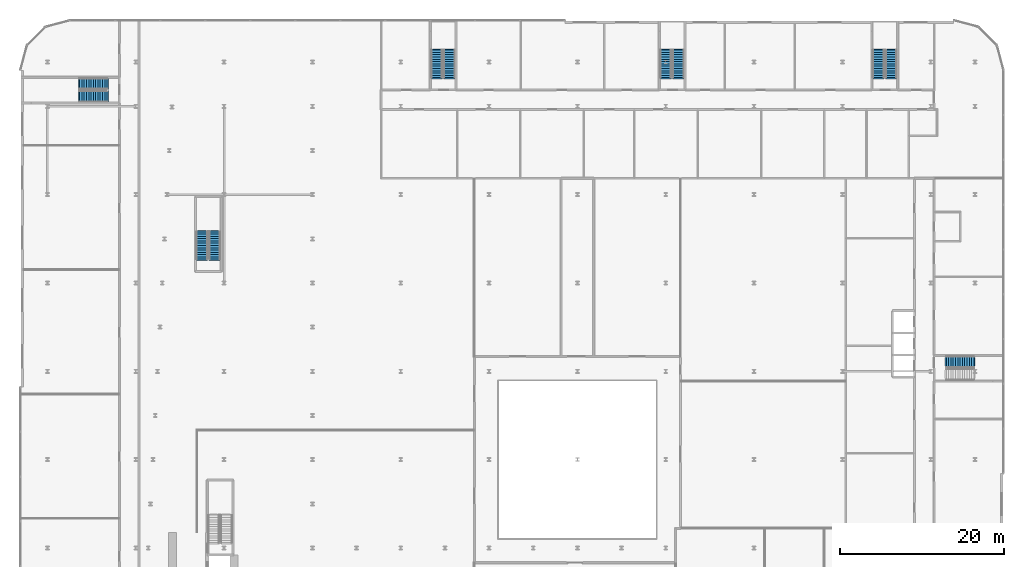
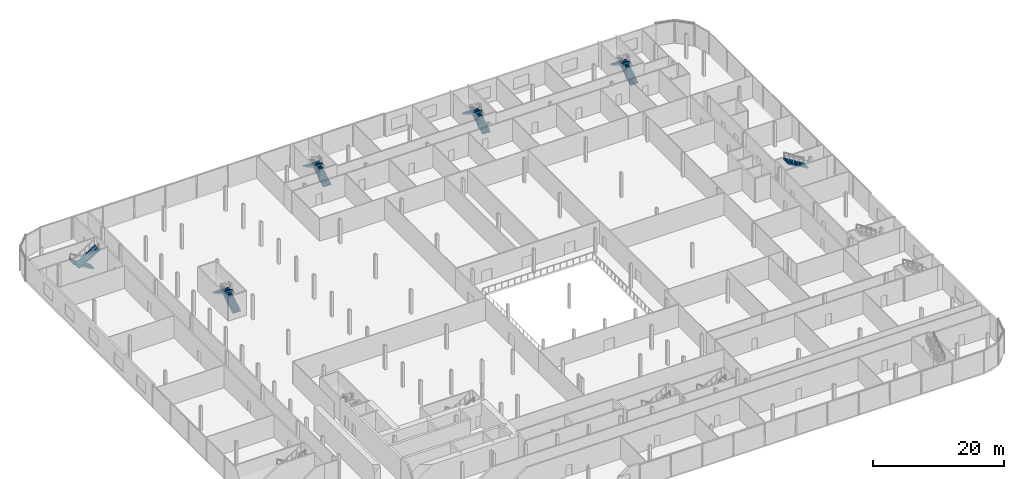
# One storey, part 38 of 47: 11 stair flights, 6 elements without a shape of their own.
"""IFC4 building model written with IfcOpenShell, lengths in metres."""

from ifc_helpers import new_model, si_unit, direction, frame, origin, place, context, subcontext, project, spatial, polyline, outline, extrude, material, layer, layer_set, type_object, element, aggregate, save


model = new_model("IFC4")

# Units and contexts
model_context = context("Model", 3, precision=1e-05, world=origin(), true_north=direction((0.0, 1.0)))
body_context = subcontext(model_context, "Body", "Model", "MODEL_VIEW")
ifc_project = project(units=[si_unit("LENGTHUNIT", "METRE"), si_unit("AREAUNIT", "SQUARE_METRE"), si_unit("VOLUMEUNIT", "CUBIC_METRE"), si_unit("PLANEANGLEUNIT", "RADIAN"), si_unit("MASSUNIT", "GRAM", prefix="KILO")], contexts=[model_context])

# Site, building, storey
site_placement = place(None, origin())
site = spatial("IfcSite", under=ifc_project, at=site_placement, CompositionType="ELEMENT")
building_placement = place(site_placement, origin())
building = spatial("IfcBuilding", under=site, at=building_placement, Name="Kheshtan School and Residences Tower", CompositionType="ELEMENT")
storey_placement = place(building_placement, frame((0.0, 0.0, 17.0)))
storey = spatial("IfcBuildingStorey", under=building, at=storey_placement, Name="L03", CompositionType="ELEMENT", Elevation=17.0)

# Stair, stair flights
ifc_material = material(Name="Concrete C40/50", Category="concrete")
stair_type = type_object("IfcStairType", Name="Exit stair, half-turn", PredefinedType="HALF_TURN_STAIR", material=ifc_material)
stair_1_placement = place(storey_placement, origin())
stair_1 = element("IfcStair", 1, at=stair_1_placement, inside=storey, type_object=stair_type, Name="L03 Protected Exit Stair ST3", PredefinedType="HALF_TURN_STAIR")
ifc_layer = layer(ifc_material, 0.14990234375)
ifc_layer_set = layer_set([ifc_layer], Name="Stair flight 1400 Concrete C40/50")
stair_flight_type = type_object("IfcStairFlightType", Name="Stair flight 1400 Concrete C40/50", PredefinedType="STRAIGHT", material=ifc_layer_set)
stair_flight_1_placement = place(storey_placement, frame((35.64990234375, 80.89990234375, 0.0), z_axis=(0.0, 0.0, 1.0), x_axis=(0.0, 1.0, 0.0)))
stair_flight_1 = element("IfcStairFlight", 2, at=stair_flight_1_placement, type_object=stair_flight_type, Name="ST3 flight 1", NumberOfRisers=13, NumberOfTreads=12, PredefinedType="STRAIGHT", RiserHeight=0.173076923, TreadLength=0.28, context=body_context, shape_type="SweptSolid", body=[
    extrude(outline(polyline([(-0.14990234375, -0.10009765625), (-0.14990234375, 0.0), (0.0, 0.0), (0.0, 0.173095703125), (0.280029296875, 0.173095703125), (0.280029296875, 0.34619140625), (0.56005859375, 0.34619140625), (0.56005859375, 0.519287109375), (0.840087890625, 0.519287109375), (0.840087890625, 0.6923828125), (1.1201171875, 0.6923828125), (1.1201171875, 0.865478515625), (1.39990234375, 0.865478515625), (1.39990234375, 1.03857421875), (1.679931640625, 1.03857421875), (1.679931640625, 1.21142578125), (1.9599609375, 1.21142578125), (1.9599609375, 1.384521484375), (2.239990234375, 1.384521484375), (2.239990234375, 1.5576171875), (2.52001953125, 1.5576171875), (2.52001953125, 1.730712890625), (2.800048828125, 1.730712890625), (2.800048828125, 1.90380859375), (3.080078125, 1.90380859375), (3.080078125, 2.076904296875), (3.360107421875, 2.076904296875), (3.360107421875, 2.25), (3.360107421875, 2.27001953125), (3.510009765625, 2.27001953125), (3.510009765625, 1.900634765625), (0.28515625, 0.0), (-0.14990234375, -0.10009765625)])), frame((0.0, 0.699951171875, 0.0), z_axis=(0.0, -1.0, 0.0), x_axis=(1.0, 0.0, 0.0)), (0.0, 0.0, 1.0), 1.39990234375),
])
stair_flight_2_placement = place(storey_placement, frame((34.10009765625, 84.260009765625, 2.25), z_axis=(0.0, 0.0, 1.0), x_axis=(0.0, -1.0, 0.0)))
stair_flight_2 = element("IfcStairFlight", 3, at=stair_flight_2_placement, type_object=stair_flight_type, Name="ST3 flight 2", NumberOfRisers=13, NumberOfTreads=12, PredefinedType="STRAIGHT", RiserHeight=0.173076923, TreadLength=0.28, context=body_context, shape_type="SweptSolid", body=[
    extrude(outline(polyline([(-0.14990234375, -0.10009765625), (-0.14990234375, 0.0), (0.0, 0.0), (0.0, 0.173095703125), (0.280029296875, 0.173095703125), (0.280029296875, 0.34619140625), (0.56005859375, 0.34619140625), (0.56005859375, 0.519287109375), (0.840087890625, 0.519287109375), (0.840087890625, 0.6923828125), (1.1201171875, 0.6923828125), (1.1201171875, 0.865478515625), (1.39990234375, 0.865478515625), (1.39990234375, 1.03857421875), (1.679931640625, 1.03857421875), (1.679931640625, 1.21142578125), (1.9599609375, 1.21142578125), (1.9599609375, 1.384521484375), (2.239990234375, 1.384521484375), (2.239990234375, 1.5576171875), (2.52001953125, 1.5576171875), (2.52001953125, 1.730712890625), (2.800048828125, 1.730712890625), (2.800048828125, 1.90380859375), (3.080078125, 1.90380859375), (3.080078125, 2.076904296875), (3.360107421875, 2.076904296875), (3.360107421875, 2.25), (3.360107421875, 2.27001953125), (3.510009765625, 2.27001953125), (3.510009765625, 1.900634765625), (0.28515625, 0.0), (-0.14990234375, -0.10009765625)])), frame((0.0, 0.699951171875, 0.0), z_axis=(0.0, -1.0, 0.0), x_axis=(1.0, 0.0, 0.0)), (0.0, 0.0, 1.0), 1.39990234375),
])
aggregate(stair_1, [stair_flight_1, stair_flight_2])

stair_2_placement = place(storey_placement, origin())
stair_2 = element("IfcStair", 4, at=stair_2_placement, inside=storey, type_object=stair_type, Name="L03 Civic Exit Stair 012-100", PredefinedType="HALF_TURN_STAIR")
stair_flight_3_placement = place(storey_placement, frame((22.5, 102.35009765625, 0.0), z_axis=(0.0, 0.0, 1.0), x_axis=(-1.0, 0.0, 0.0)))
stair_flight_3 = element("IfcStairFlight", 5, at=stair_flight_3_placement, type_object=stair_flight_type, Name="PS-012-100 flight 1", NumberOfRisers=13, NumberOfTreads=12, PredefinedType="STRAIGHT", RiserHeight=0.173076923, TreadLength=0.28, context=body_context, shape_type="SweptSolid", body=[
    extrude(outline(polyline([(-0.14990234375, -0.10009765625), (-0.14990234375, 0.0), (0.0, 0.0), (0.0, 0.173095703125), (0.280029296875, 0.173095703125), (0.280029296875, 0.34619140625), (0.56005859375, 0.34619140625), (0.56005859375, 0.519287109375), (0.840087890625, 0.519287109375), (0.840087890625, 0.6923828125), (1.1201171875, 0.6923828125), (1.1201171875, 0.865478515625), (1.39990234375, 0.865478515625), (1.39990234375, 1.03857421875), (1.679931640625, 1.03857421875), (1.679931640625, 1.21142578125), (1.9599609375, 1.21142578125), (1.9599609375, 1.384521484375), (2.239990234375, 1.384521484375), (2.239990234375, 1.5576171875), (2.52001953125, 1.5576171875), (2.52001953125, 1.730712890625), (2.800048828125, 1.730712890625), (2.800048828125, 1.90380859375), (3.080078125, 1.90380859375), (3.080078125, 2.076904296875), (3.360107421875, 2.076904296875), (3.360107421875, 2.25), (3.360107421875, 2.27001953125), (3.510009765625, 2.27001953125), (3.510009765625, 1.900634765625), (0.28515625, 0.0), (-0.14990234375, -0.10009765625)])), frame((0.0, 0.699951171875, 0.0), z_axis=(0.0, -1.0, 0.0), x_axis=(1.0, 0.0, 0.0)), (0.0, 0.0, 1.0), 1.39990234375),
])
stair_flight_4_placement = place(storey_placement, frame((19.139892578125, 100.800048828125, 2.25), z_axis=(0.0, 0.0, 1.0), x_axis=(1.0, 0.0, 0.0)))
stair_flight_4 = element("IfcStairFlight", 6, at=stair_flight_4_placement, type_object=stair_flight_type, Name="PS-012-100 flight 2", NumberOfRisers=13, NumberOfTreads=12, PredefinedType="STRAIGHT", RiserHeight=0.173076923, TreadLength=0.28, context=body_context, shape_type="SweptSolid", body=[
    extrude(outline(polyline([(-0.14990234375, -0.10009765625), (-0.14990234375, 0.0), (0.0, 0.0), (0.0, 0.173095703125), (0.280029296875, 0.173095703125), (0.280029296875, 0.34619140625), (0.56005859375, 0.34619140625), (0.56005859375, 0.519287109375), (0.840087890625, 0.519287109375), (0.840087890625, 0.6923828125), (1.1201171875, 0.6923828125), (1.1201171875, 0.865478515625), (1.39990234375, 0.865478515625), (1.39990234375, 1.03857421875), (1.679931640625, 1.03857421875), (1.679931640625, 1.21142578125), (1.9599609375, 1.21142578125), (1.9599609375, 1.384521484375), (2.239990234375, 1.384521484375), (2.239990234375, 1.5576171875), (2.52001953125, 1.5576171875), (2.52001953125, 1.730712890625), (2.800048828125, 1.730712890625), (2.800048828125, 1.90380859375), (3.080078125, 1.90380859375), (3.080078125, 2.076904296875), (3.360107421875, 2.076904296875), (3.360107421875, 2.25), (3.360107421875, 2.27001953125), (3.510009765625, 2.27001953125), (3.510009765625, 1.900634765625), (0.28515625, 0.0), (-0.14990234375, -0.10009765625)])), frame((0.0, 0.699951171875, 0.0), z_axis=(0.0, -1.0, 0.0), x_axis=(1.0, 0.0, 0.0)), (0.0, 0.0, 1.0), 1.39990234375),
])
aggregate(stair_2, [stair_flight_3, stair_flight_4])

stair_3_placement = place(storey_placement, origin())
stair_3 = element("IfcStair", 7, at=stair_3_placement, inside=storey, type_object=stair_type, Name="L03 School Exit Stair 062-102", PredefinedType="HALF_TURN_STAIR")
stair_flight_5_placement = place(storey_placement, frame((64.35009765625, 103.10009765625, 0.0), z_axis=(0.0, 0.0, 1.0), x_axis=(0.0, 1.0, 0.0)))
stair_flight_5 = element("IfcStairFlight", 8, at=stair_flight_5_placement, type_object=stair_flight_type, Name="PS-062-102 flight 1", NumberOfRisers=13, NumberOfTreads=12, PredefinedType="STRAIGHT", RiserHeight=0.173076923, TreadLength=0.28, context=body_context, shape_type="SweptSolid", body=[
    extrude(outline(polyline([(-0.14990234375, -0.10009765625), (-0.14990234375, 0.0), (0.0, 0.0), (0.0, 0.173095703125), (0.280029296875, 0.173095703125), (0.280029296875, 0.34619140625), (0.56005859375, 0.34619140625), (0.56005859375, 0.519287109375), (0.840087890625, 0.519287109375), (0.840087890625, 0.6923828125), (1.1201171875, 0.6923828125), (1.1201171875, 0.865478515625), (1.39990234375, 0.865478515625), (1.39990234375, 1.03857421875), (1.679931640625, 1.03857421875), (1.679931640625, 1.21142578125), (1.9599609375, 1.21142578125), (1.9599609375, 1.384521484375), (2.239990234375, 1.384521484375), (2.239990234375, 1.5576171875), (2.52001953125, 1.5576171875), (2.52001953125, 1.730712890625), (2.800048828125, 1.730712890625), (2.800048828125, 1.90380859375), (3.080078125, 1.90380859375), (3.080078125, 2.076904296875), (3.360107421875, 2.076904296875), (3.360107421875, 2.25), (3.360107421875, 2.27001953125), (3.510009765625, 2.27001953125), (3.510009765625, 1.900634765625), (0.28515625, 0.0), (-0.14990234375, -0.10009765625)])), frame((0.0, 0.699951171875, 0.0), z_axis=(0.0, -1.0, 0.0), x_axis=(1.0, 0.0, 0.0)), (0.0, 0.0, 1.0), 1.39990234375),
])
stair_flight_6_placement = place(storey_placement, frame((62.800048828125, 106.4599609375, 2.25), z_axis=(0.0, 0.0, 1.0), x_axis=(0.0, -1.0, 0.0)))
stair_flight_6 = element("IfcStairFlight", 9, at=stair_flight_6_placement, type_object=stair_flight_type, Name="PS-062-102 flight 2", NumberOfRisers=13, NumberOfTreads=12, PredefinedType="STRAIGHT", RiserHeight=0.173076923, TreadLength=0.28, context=body_context, shape_type="SweptSolid", body=[
    extrude(outline(polyline([(-0.14990234375, -0.10009765625), (-0.14990234375, 0.0), (0.0, 0.0), (0.0, 0.173095703125), (0.280029296875, 0.173095703125), (0.280029296875, 0.34619140625), (0.56005859375, 0.34619140625), (0.56005859375, 0.519287109375), (0.840087890625, 0.519287109375), (0.840087890625, 0.6923828125), (1.1201171875, 0.6923828125), (1.1201171875, 0.865478515625), (1.39990234375, 0.865478515625), (1.39990234375, 1.03857421875), (1.679931640625, 1.03857421875), (1.679931640625, 1.21142578125), (1.9599609375, 1.21142578125), (1.9599609375, 1.384521484375), (2.239990234375, 1.384521484375), (2.239990234375, 1.5576171875), (2.52001953125, 1.5576171875), (2.52001953125, 1.730712890625), (2.800048828125, 1.730712890625), (2.800048828125, 1.90380859375), (3.080078125, 1.90380859375), (3.080078125, 2.076904296875), (3.360107421875, 2.076904296875), (3.360107421875, 2.25), (3.360107421875, 2.27001953125), (3.510009765625, 2.27001953125), (3.510009765625, 1.900634765625), (0.28515625, 0.0), (-0.14990234375, -0.10009765625)])), frame((0.0, 0.699951171875, 0.0), z_axis=(0.0, -1.0, 0.0), x_axis=(1.0, 0.0, 0.0)), (0.0, 0.0, 1.0), 1.39990234375),
])
aggregate(stair_3, [stair_flight_5, stair_flight_6])

stair_4_placement = place(storey_placement, origin())
stair_4 = element("IfcStair", 10, at=stair_4_placement, inside=storey, type_object=stair_type, Name="L03 School Exit Stair 090-102", PredefinedType="HALF_TURN_STAIR")
stair_flight_7_placement = place(storey_placement, frame((92.35009765625, 103.10009765625, 0.0), z_axis=(0.0, 0.0, 1.0), x_axis=(0.0, 1.0, 0.0)))
stair_flight_7 = element("IfcStairFlight", 11, at=stair_flight_7_placement, type_object=stair_flight_type, Name="PS-090-102 flight 1", NumberOfRisers=13, NumberOfTreads=12, PredefinedType="STRAIGHT", RiserHeight=0.173076923, TreadLength=0.28, context=body_context, shape_type="SweptSolid", body=[
    extrude(outline(polyline([(-0.14990234375, -0.10009765625), (-0.14990234375, 0.0), (0.0, 0.0), (0.0, 0.173095703125), (0.280029296875, 0.173095703125), (0.280029296875, 0.34619140625), (0.56005859375, 0.34619140625), (0.56005859375, 0.519287109375), (0.840087890625, 0.519287109375), (0.840087890625, 0.6923828125), (1.1201171875, 0.6923828125), (1.1201171875, 0.865478515625), (1.39990234375, 0.865478515625), (1.39990234375, 1.03857421875), (1.679931640625, 1.03857421875), (1.679931640625, 1.21142578125), (1.9599609375, 1.21142578125), (1.9599609375, 1.384521484375), (2.239990234375, 1.384521484375), (2.239990234375, 1.5576171875), (2.52001953125, 1.5576171875), (2.52001953125, 1.730712890625), (2.800048828125, 1.730712890625), (2.800048828125, 1.90380859375), (3.080078125, 1.90380859375), (3.080078125, 2.076904296875), (3.360107421875, 2.076904296875), (3.360107421875, 2.25), (3.360107421875, 2.27001953125), (3.510009765625, 2.27001953125), (3.510009765625, 1.900634765625), (0.28515625, 0.0), (-0.14990234375, -0.10009765625)])), frame((0.0, 0.699951171875, 0.0), z_axis=(0.0, -1.0, 0.0), x_axis=(1.0, 0.0, 0.0)), (0.0, 0.0, 1.0), 1.39990234375),
])
stair_flight_8_placement = place(storey_placement, frame((90.800048828125, 106.4599609375, 2.25), z_axis=(0.0, 0.0, 1.0), x_axis=(0.0, -1.0, 0.0)))
stair_flight_8 = element("IfcStairFlight", 12, at=stair_flight_8_placement, type_object=stair_flight_type, Name="PS-090-102 flight 2", NumberOfRisers=13, NumberOfTreads=12, PredefinedType="STRAIGHT", RiserHeight=0.173076923, TreadLength=0.28, context=body_context, shape_type="SweptSolid", body=[
    extrude(outline(polyline([(-0.14990234375, -0.10009765625), (-0.14990234375, 0.0), (0.0, 0.0), (0.0, 0.173095703125), (0.280029296875, 0.173095703125), (0.280029296875, 0.34619140625), (0.56005859375, 0.34619140625), (0.56005859375, 0.519287109375), (0.840087890625, 0.519287109375), (0.840087890625, 0.6923828125), (1.1201171875, 0.6923828125), (1.1201171875, 0.865478515625), (1.39990234375, 0.865478515625), (1.39990234375, 1.03857421875), (1.679931640625, 1.03857421875), (1.679931640625, 1.21142578125), (1.9599609375, 1.21142578125), (1.9599609375, 1.384521484375), (2.239990234375, 1.384521484375), (2.239990234375, 1.5576171875), (2.52001953125, 1.5576171875), (2.52001953125, 1.730712890625), (2.800048828125, 1.730712890625), (2.800048828125, 1.90380859375), (3.080078125, 1.90380859375), (3.080078125, 2.076904296875), (3.360107421875, 2.076904296875), (3.360107421875, 2.25), (3.360107421875, 2.27001953125), (3.510009765625, 2.27001953125), (3.510009765625, 1.900634765625), (0.28515625, 0.0), (-0.14990234375, -0.10009765625)])), frame((0.0, 0.699951171875, 0.0), z_axis=(0.0, -1.0, 0.0), x_axis=(1.0, 0.0, 0.0)), (0.0, 0.0, 1.0), 1.39990234375),
])
aggregate(stair_4, [stair_flight_7, stair_flight_8])

stair_5_placement = place(storey_placement, origin())
stair_5 = element("IfcStair", 13, at=stair_5_placement, inside=storey, type_object=stair_type, Name="L03 School Exit Stair 116-102", PredefinedType="HALF_TURN_STAIR")
stair_flight_9_placement = place(storey_placement, frame((118.35009765625, 103.10009765625, 0.0), z_axis=(0.0, 0.0, 1.0), x_axis=(0.0, 1.0, 0.0)))
stair_flight_9 = element("IfcStairFlight", 14, at=stair_flight_9_placement, type_object=stair_flight_type, Name="PS-116-102 flight 1", NumberOfRisers=13, NumberOfTreads=12, PredefinedType="STRAIGHT", RiserHeight=0.173076923, TreadLength=0.28, context=body_context, shape_type="SweptSolid", body=[
    extrude(outline(polyline([(-0.14990234375, -0.10009765625), (-0.14990234375, 0.0), (0.0, 0.0), (0.0, 0.173095703125), (0.280029296875, 0.173095703125), (0.280029296875, 0.34619140625), (0.56005859375, 0.34619140625), (0.56005859375, 0.519287109375), (0.840087890625, 0.519287109375), (0.840087890625, 0.6923828125), (1.1201171875, 0.6923828125), (1.1201171875, 0.865478515625), (1.39990234375, 0.865478515625), (1.39990234375, 1.03857421875), (1.679931640625, 1.03857421875), (1.679931640625, 1.21142578125), (1.9599609375, 1.21142578125), (1.9599609375, 1.384521484375), (2.239990234375, 1.384521484375), (2.239990234375, 1.5576171875), (2.52001953125, 1.5576171875), (2.52001953125, 1.730712890625), (2.800048828125, 1.730712890625), (2.800048828125, 1.90380859375), (3.080078125, 1.90380859375), (3.080078125, 2.076904296875), (3.360107421875, 2.076904296875), (3.360107421875, 2.25), (3.360107421875, 2.27001953125), (3.510009765625, 2.27001953125), (3.510009765625, 1.900634765625), (0.28515625, 0.0), (-0.14990234375, -0.10009765625)])), frame((0.0, 0.699951171875, 0.0), z_axis=(0.0, -1.0, 0.0), x_axis=(1.0, 0.0, 0.0)), (0.0, 0.0, 1.0), 1.39990234375),
])
stair_flight_10_placement = place(storey_placement, frame((116.800048828125, 106.4599609375, 2.25), z_axis=(0.0, 0.0, 1.0), x_axis=(0.0, -1.0, 0.0)))
stair_flight_10 = element("IfcStairFlight", 15, at=stair_flight_10_placement, type_object=stair_flight_type, Name="PS-116-102 flight 2", NumberOfRisers=13, NumberOfTreads=12, PredefinedType="STRAIGHT", RiserHeight=0.173076923, TreadLength=0.28, context=body_context, shape_type="SweptSolid", body=[
    extrude(outline(polyline([(-0.14990234375, -0.10009765625), (-0.14990234375, 0.0), (0.0, 0.0), (0.0, 0.173095703125), (0.280029296875, 0.173095703125), (0.280029296875, 0.34619140625), (0.56005859375, 0.34619140625), (0.56005859375, 0.519287109375), (0.840087890625, 0.519287109375), (0.840087890625, 0.6923828125), (1.1201171875, 0.6923828125), (1.1201171875, 0.865478515625), (1.39990234375, 0.865478515625), (1.39990234375, 1.03857421875), (1.679931640625, 1.03857421875), (1.679931640625, 1.21142578125), (1.9599609375, 1.21142578125), (1.9599609375, 1.384521484375), (2.239990234375, 1.384521484375), (2.239990234375, 1.5576171875), (2.52001953125, 1.5576171875), (2.52001953125, 1.730712890625), (2.800048828125, 1.730712890625), (2.800048828125, 1.90380859375), (3.080078125, 1.90380859375), (3.080078125, 2.076904296875), (3.360107421875, 2.076904296875), (3.360107421875, 2.25), (3.360107421875, 2.27001953125), (3.510009765625, 2.27001953125), (3.510009765625, 1.900634765625), (0.28515625, 0.0), (-0.14990234375, -0.10009765625)])), frame((0.0, 0.699951171875, 0.0), z_axis=(0.0, -1.0, 0.0), x_axis=(1.0, 0.0, 0.0)), (0.0, 0.0, 1.0), 1.39990234375),
])
aggregate(stair_5, [stair_flight_9, stair_flight_10])

# Stair, stair flight
stair_6_placement = place(storey_placement, origin())
stair_6 = element("IfcStair", 16, at=stair_6_placement, inside=storey, type_object=stair_type, Name="L03 School Exit Stair 124-066", PredefinedType="HALF_TURN_STAIR")
stair_flight_11_placement = place(storey_placement, frame((128.4599609375, 68.35009765625, 2.25), z_axis=(0.0, 0.0, 1.0), x_axis=(-1.0, 0.0, 0.0)))
stair_flight_11 = element("IfcStairFlight", 17, at=stair_flight_11_placement, type_object=stair_flight_type, Name="PS-124-066 flight 2", NumberOfRisers=13, NumberOfTreads=12, PredefinedType="STRAIGHT", RiserHeight=0.173076923, TreadLength=0.28, context=body_context, shape_type="SweptSolid", body=[
    extrude(outline(polyline([(-0.14990234375, -0.10009765625), (-0.14990234375, 0.0), (0.0, 0.0), (0.0, 0.173095703125), (0.280029296875, 0.173095703125), (0.280029296875, 0.34619140625), (0.56005859375, 0.34619140625), (0.56005859375, 0.519287109375), (0.840087890625, 0.519287109375), (0.840087890625, 0.6923828125), (1.1201171875, 0.6923828125), (1.1201171875, 0.865478515625), (1.39990234375, 0.865478515625), (1.39990234375, 1.03857421875), (1.679931640625, 1.03857421875), (1.679931640625, 1.21142578125), (1.9599609375, 1.21142578125), (1.9599609375, 1.384521484375), (2.239990234375, 1.384521484375), (2.239990234375, 1.5576171875), (2.52001953125, 1.5576171875), (2.52001953125, 1.730712890625), (2.800048828125, 1.730712890625), (2.800048828125, 1.90380859375), (3.080078125, 1.90380859375), (3.080078125, 2.076904296875), (3.360107421875, 2.076904296875), (3.360107421875, 2.25), (3.360107421875, 2.27001953125), (3.510009765625, 2.27001953125), (3.510009765625, 1.900634765625), (0.28515625, 0.0), (-0.14990234375, -0.10009765625)])), frame((0.0, 0.699951171875, 0.0), z_axis=(0.0, -1.0, 0.0), x_axis=(1.0, 0.0, 0.0)), (0.0, 0.0, 1.0), 1.39990234375),
])
aggregate(stair_6, [stair_flight_11])

save(model, "model.ifc")
